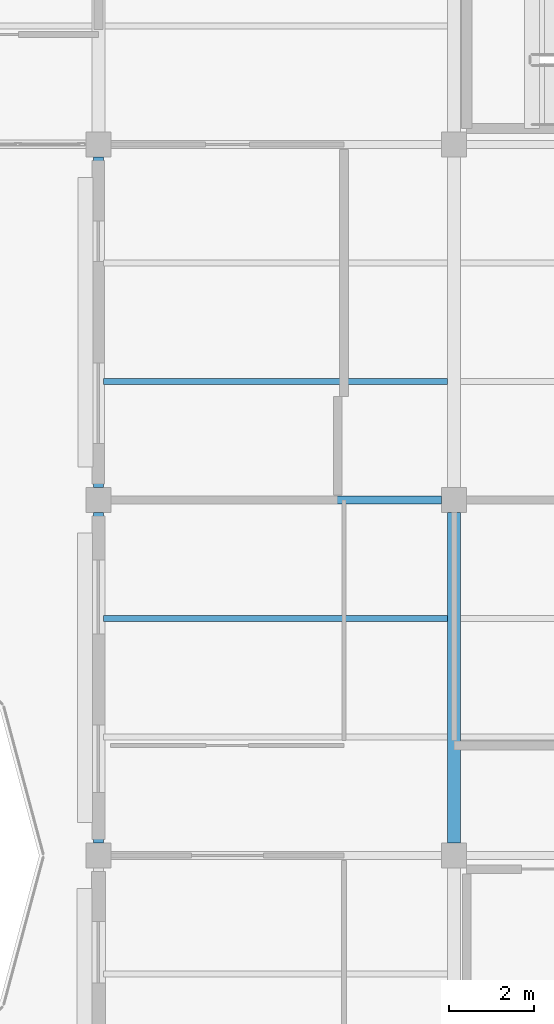
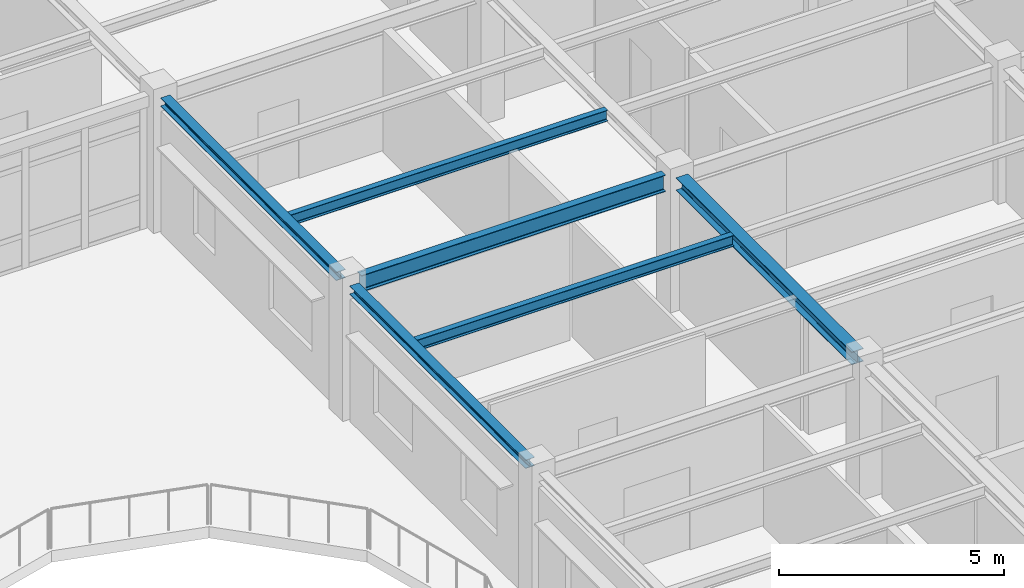
# One storey, part 18 of 86: 6 beams.
"""IFC4 building model written with IfcOpenShell, lengths in metres."""

from ifc_helpers import new_model, si_unit, direction, frame, origin, origin_2d, place, context, subcontext, project, spatial, i_section, extrude, material, material_profile, profile_set, type_object, element, save


model = new_model("IFC4")

# Units and contexts
model_context = context("Model", 3, precision=1e-05, world=origin(), true_north=direction((0.0, 1.0)))
body_context = subcontext(model_context, "Body", "Model", "MODEL_VIEW")
ifc_project = project(units=[si_unit("LENGTHUNIT", "METRE"), si_unit("AREAUNIT", "SQUARE_METRE"), si_unit("VOLUMEUNIT", "CUBIC_METRE"), si_unit("PLANEANGLEUNIT", "RADIAN"), si_unit("MASSUNIT", "GRAM", prefix="KILO")], contexts=[model_context])

# Site, building, storey
site_placement = place(None, origin())
site = spatial("IfcSite", under=ifc_project, at=site_placement, CompositionType="ELEMENT")
building_placement = place(site_placement, origin())
building = spatial("IfcBuilding", under=site, at=building_placement, Name="Bramfleet General Hospital", CompositionType="ELEMENT")
storey_placement = place(building_placement, frame((0.0, 0.0, 18.60009765625)))
storey = spatial("IfcBuildingStorey", under=building, at=storey_placement, Name="L04", CompositionType="ELEMENT", Elevation=18.60009765625)

# Beams
ifc_material = material(Name="Steel S355", Category="steel")
ifc_material_profile_1 = material_profile(ifc_material, i_section(OverallWidth=0.239990234375, OverallDepth=0.22998046875, WebThickness=0.007568359375, FlangeThickness=0.011962890625, FilletRadius=0.02099609375, at=origin_2d()), Name="HEA 240")
ifc_profile_set_1 = profile_set([ifc_material_profile_1], Name="Steel S355")
beam_type_1 = type_object("IfcBeamType", Name="BM-HEA240", PredefinedType="SPANDREL", material=ifc_profile_set_1)
for number, where, z_axis, x_axis, name in (
    (1, (92.39990234375, 75.89990234375, 3.5048828125), (0.0, 1.0, 0.0), (-1.0, 0.0, 0.0), "L04 Grid Beam Y 11-09"),
    (2, (92.39990234375, 84.300048828125, 3.5048828125), (0.0, 1.0, 0.0), (-1.0, 0.0, 0.0), "L04 Grid Beam Y 11-10"),
):
    element("IfcBeam", number, at=place(storey_placement, frame(where, z_axis=z_axis, x_axis=x_axis)), inside=storey, type_object=beam_type_1, Name=name, PredefinedType="SPANDREL", context=body_context, shape_type="SweptSolid", body=[
        extrude(i_section(OverallWidth=0.239990234375, OverallDepth=0.22998046875, WebThickness=0.007568359375, FlangeThickness=0.011962890625, FilletRadius=0.02099609375, at=origin_2d()), origin(), (0.0, 0.0, 1.0), 7.800048828125),
    ])
ifc_material_profile_2 = material_profile(ifc_material, i_section(OverallWidth=0.300048828125, OverallDepth=0.35009765625, WebThickness=0.010009765625, FlangeThickness=0.017578125, FilletRadius=0.027099609375, at=origin_2d()), Name="HEA 360")
ifc_profile_set_2 = profile_set([ifc_material_profile_2], Name="Steel S355")
beam_type_2 = type_object("IfcBeamType", Name="BM-HEA360", PredefinedType="BEAM", material=ifc_profile_set_2)
beam_1_placement = place(storey_placement, frame((100.800048828125, 75.89990234375, 3.44482421875), z_axis=(0.0, 1.0, 0.0), x_axis=(-1.0, 0.0, 0.0)))
element("IfcBeam", 3, at=beam_1_placement, inside=storey, type_object=beam_type_2, Name="L04 Grid Beam Y 12-09", PredefinedType="BEAM", context=body_context, shape_type="SweptSolid", body=[
    extrude(i_section(OverallWidth=0.300048828125, OverallDepth=0.35009765625, WebThickness=0.010009765625, FlangeThickness=0.017578125, FilletRadius=0.027099609375, at=origin_2d()), origin(), (0.0, 0.0, 1.0), 7.800048828125),
])
ifc_material_profile_3 = material_profile(ifc_material, i_section(OverallWidth=0.14990234375, OverallDepth=0.300048828125, WebThickness=0.007080078125, FlangeThickness=0.0107421875, FilletRadius=0.014892578125, at=origin_2d()), Name="IPE 300")
ifc_profile_set_3 = profile_set([ifc_material_profile_3], Name="Steel S355")
beam_type_3 = type_object("IfcBeamType", Name="BM-IPE300", PredefinedType="JOIST", material=ifc_profile_set_3)
for number, where, z_axis, x_axis, name in (
    (4, (92.52001953125, 81.199951171875, 3.469970703125), (1.0, 0.0, 0.0), (0.0, 1.0, 0.0), "L04 Secondary Joist 11-09-2"),
    (5, (92.52001953125, 86.800048828125, 3.469970703125), (1.0, 0.0, 0.0), (0.0, 1.0, 0.0), "L04 Secondary Joist 11-10-1"),
):
    element("IfcBeam", number, at=place(storey_placement, frame(where, z_axis=z_axis, x_axis=x_axis)), inside=storey, type_object=beam_type_3, Name=name, PredefinedType="JOIST", context=body_context, shape_type="SweptSolid", body=[
        extrude(i_section(OverallWidth=0.14990234375, OverallDepth=0.300048828125, WebThickness=0.007080078125, FlangeThickness=0.0107421875, FilletRadius=0.014892578125, at=origin_2d()), origin(), (0.0, 0.0, 1.0), 8.1298828125),
    ])
ifc_material_profile_4 = material_profile(ifc_material, i_section(OverallWidth=0.18994140625, OverallDepth=0.449951171875, WebThickness=0.009521484375, FlangeThickness=0.0146484375, FilletRadius=0.02099609375, at=origin_2d()), Name="IPE 450")
ifc_profile_set_4 = profile_set([ifc_material_profile_4], Name="Steel S355")
beam_type_4 = type_object("IfcBeamType", Name="BM-IPE450", PredefinedType="BEAM", material=ifc_profile_set_4)
beam_2_placement = place(storey_placement, frame((92.699951171875, 84.0, 3.39501953125), z_axis=(1.0, 0.0, 0.0), x_axis=(0.0, 1.0, 0.0)))
element("IfcBeam", 6, at=beam_2_placement, inside=storey, type_object=beam_type_4, Name="L04 Grid Beam X 11-10", PredefinedType="BEAM", context=body_context, shape_type="SweptSolid", body=[
    extrude(i_section(OverallWidth=0.18994140625, OverallDepth=0.449951171875, WebThickness=0.009521484375, FlangeThickness=0.0146484375, FilletRadius=0.02099609375, at=origin_2d()), origin(), (0.0, 0.0, 1.0), 7.800048828125),
])

save(model, "model.ifc")
